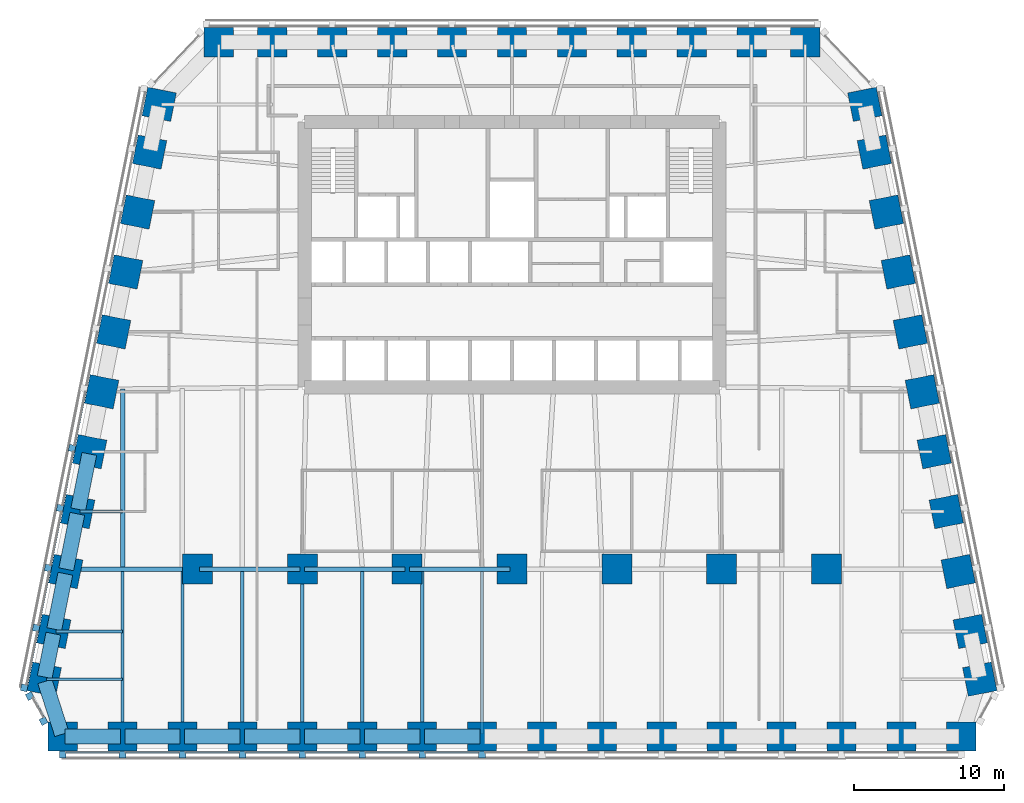
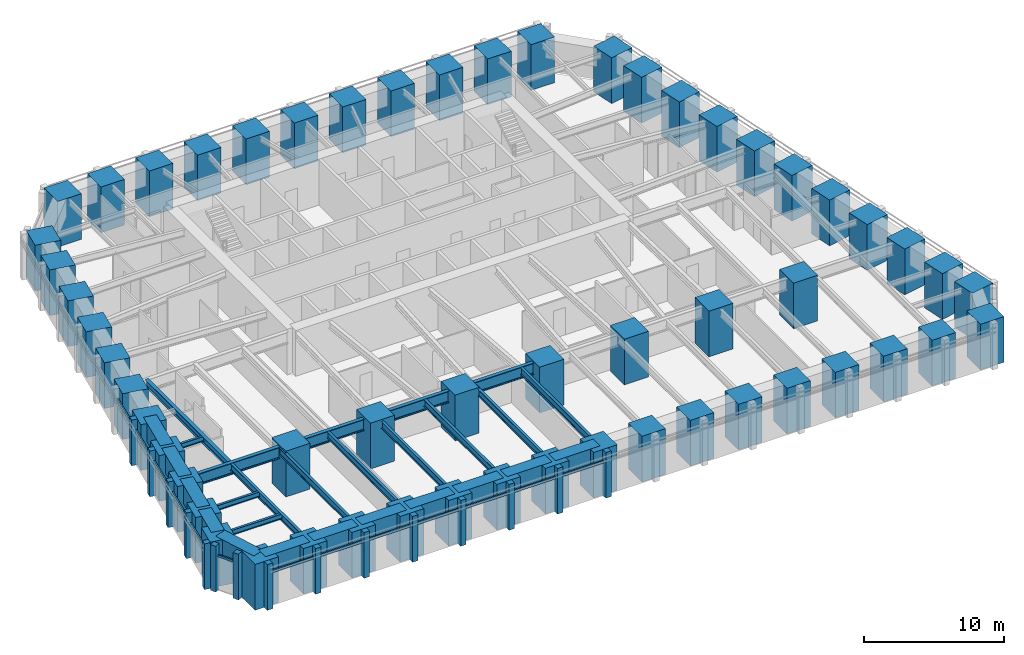
# One storey, part 1 of 10: 56 columns, 28 members, 27 beams, 3 elements without a shape of their own.
"""IFC4 building model written with IfcOpenShell, lengths in metres."""

from ifc_helpers import new_model, si_unit, direction, frame, origin, origin_2d, place, context, subcontext, project, spatial, rectangle, i_section, extrude, material, material_profile, profile_set, type_object, element, aggregate, save


model = new_model("IFC4")

# Units and contexts
model_context = context("Model", 3, precision=1e-05, world=origin(), true_north=direction((0.0, 1.0)))
body_context = subcontext(model_context, "Body", "Model", "MODEL_VIEW")
ifc_project = project(units=[si_unit("LENGTHUNIT", "METRE"), si_unit("AREAUNIT", "SQUARE_METRE"), si_unit("VOLUMEUNIT", "CUBIC_METRE"), si_unit("PLANEANGLEUNIT", "RADIAN"), si_unit("MASSUNIT", "GRAM", prefix="KILO")], contexts=[model_context])

# Site, building, storey
site_placement = place(None, origin())
site = spatial("IfcSite", under=ifc_project, at=site_placement, CompositionType="ELEMENT")
building_placement = place(site_placement, origin())
building = spatial("IfcBuilding", under=site, at=building_placement, Name="Isbrekke Arena Tower", CompositionType="ELEMENT")
storey_placement = place(building_placement, frame((0.0, 0.0, 60.0)))
storey = spatial("IfcBuildingStorey", under=building, at=storey_placement, Name="L12", CompositionType="ELEMENT", Elevation=60.0)

# Columns
ifc_material_1 = material(Name="Concrete B90 (C90/105)", Category="concrete")
ifc_material_profile_1 = material_profile(ifc_material_1, rectangle(XDim=2.0, YDim=2.0, at=origin_2d()), Name="RC 2000x2000")
ifc_profile_set_1 = profile_set([ifc_material_profile_1], Name="Concrete B90 (C90/105)")
column_type_1 = type_object("IfcColumnType", Name="C11 RC 2000 x 2000", PredefinedType="COLUMN", material=ifc_profile_set_1)
for number, where, z_axis, x_axis, name in (
    (1, (-21.0, -6.0, 0.0), (0.0, 0.0, 1.0), (1.0, 0.0, 0.0), "C11 I01"),
    (2, (-14.0, -6.0, 0.0), (0.0, 0.0, 1.0), (1.0, 0.0, 0.0), "C11 I02"),
    (3, (-7.0, -6.0, 0.0), (0.0, 0.0, 1.0), (1.0, 0.0, 0.0), "C11 I03"),
    (4, (0.0, -6.0, 0.0), (0.0, 0.0, 1.0), (1.0, 0.0, 0.0), "C11 I04"),
    (5, (7.0, -6.0, 0.0), (0.0, 0.0, 1.0), (1.0, 0.0, 0.0), "C11 I05"),
    (6, (14.0, -6.0, 0.0), (0.0, 0.0, 1.0), (1.0, 0.0, 0.0), "C11 I06"),
    (7, (21.0, -6.0, 0.0), (0.0, 0.0, 1.0), (1.0, 0.0, 0.0), "C11 I07"),
):
    element("IfcColumn", number, at=place(storey_placement, frame(where, z_axis=z_axis, x_axis=x_axis)), inside=storey, type_object=column_type_1, Name=name, PredefinedType="COLUMN", context=body_context, shape_type="SweptSolid", body=[
        extrude(rectangle(XDim=2.0, YDim=2.0, at=origin_2d()), origin(), (0.0, 0.0, 1.0), 4.0),
    ])
ifc_material_2 = material(Name="Concrete B90 (C90/105)", Category="concrete")
ifc_material_profile_2 = material_profile(ifc_material_2, rectangle(XDim=1.949951171875, YDim=1.949951171875, at=origin_2d()), Name="RC 1950x1950")
ifc_profile_set_2 = profile_set([ifc_material_profile_2], Name="Concrete B90 (C90/105)")
column_type_2 = type_object("IfcColumnType", Name="C2 RC 1950 x 1950", PredefinedType="COLUMN", material=ifc_profile_set_2)
for number, where, z_axis, x_axis, name in (
    (8, (-30.0, -17.175048828125, 0.0), (0.0, 0.0, 1.0), (1.0, 0.0, 0.0), "C2 S01"),
    (9, (-26.0, -17.175048828125, 0.0), (0.0, 0.0, 1.0), (1.0, 0.0, 0.0), "C2 S02"),
    (10, (-22.0, -17.175048828125, 0.0), (0.0, 0.0, 1.0), (1.0, 0.0, 0.0), "C2 S03"),
    (11, (-18.0, -17.175048828125, 0.0), (0.0, 0.0, 1.0), (1.0, 0.0, 0.0), "C2 S04"),
    (12, (-14.0, -17.175048828125, 0.0), (0.0, 0.0, 1.0), (1.0, 0.0, 0.0), "C2 S05"),
    (13, (-10.0, -17.175048828125, 0.0), (0.0, 0.0, 1.0), (1.0, 0.0, 0.0), "C2 S06"),
    (14, (-6.0, -17.175048828125, 0.0), (0.0, 0.0, 1.0), (1.0, 0.0, 0.0), "C2 S07"),
    (15, (-2.0, -17.175048828125, 0.0), (0.0, 0.0, 1.0), (1.0, 0.0, 0.0), "C2 S08"),
    (16, (2.0, -17.175048828125, 0.0), (0.0, 0.0, 1.0), (1.0, 0.0, 0.0), "C2 S09"),
    (17, (6.0, -17.175048828125, 0.0), (0.0, 0.0, 1.0), (1.0, 0.0, 0.0), "C2 S10"),
    (18, (10.0, -17.175048828125, 0.0), (0.0, 0.0, 1.0), (1.0, 0.0, 0.0), "C2 S11"),
    (19, (14.0, -17.175048828125, 0.0), (0.0, 0.0, 1.0), (1.0, 0.0, 0.0), "C2 S12"),
    (20, (18.0, -17.175048828125, 0.0), (0.0, 0.0, 1.0), (1.0, 0.0, 0.0), "C2 S13"),
    (21, (22.0, -17.175048828125, 0.0), (0.0, 0.0, 1.0), (1.0, 0.0, 0.0), "C2 S14"),
    (22, (26.0, -17.175048828125, 0.0), (0.0, 0.0, 1.0), (1.0, 0.0, 0.0), "C2 S15"),
    (23, (30.0, -17.175048828125, 0.0), (0.0, 0.0, 1.0), (1.0, 0.0, 0.0), "C2 S16"),
    (24, (31.229248046875, -13.352783203125, 0.0), (0.0, 0.0, 1.0), (-0.196116135138, 0.980580675691, 0.0), "C2 E01"),
    (25, (30.591064453125, -10.161865234375, 0.0), (0.0, 0.0, 1.0), (-0.196116135138, 0.980580675691, 0.0), "C2 E02"),
    (26, (29.791015625, -6.161865234375, 0.0), (0.0, 0.0, 1.0), (-0.196116135138, 0.980580675691, 0.0), "C2 E03"),
    (27, (28.990966796875, -2.161865234375, 0.0), (0.0, 0.0, 1.0), (-0.196116135138, 0.980580675691, 0.0), "C2 E04"),
    (28, (28.19091796875, 1.838134765625, 0.0), (0.0, 0.0, 1.0), (-0.196116135138, 0.980580675691, 0.0), "C2 E05"),
    (29, (27.39111328125, 5.838134765625, 0.0), (0.0, 0.0, 1.0), (-0.196116135138, 0.980580675691, 0.0), "C2 E06"),
    (30, (26.591064453125, 9.838134765625, 0.0), (0.0, 0.0, 1.0), (-0.196116135138, 0.980580675691, 0.0), "C2 E07"),
    (31, (25.791015625, 13.838134765625, 0.0), (0.0, 0.0, 1.0), (-0.196116135138, 0.980580675691, 0.0), "C2 E08"),
    (32, (24.990966796875, 17.838134765625, 0.0), (0.0, 0.0, 1.0), (-0.196116135138, 0.980580675691, 0.0), "C2 E09"),
    (33, (24.19091796875, 21.838134765625, 0.0), (0.0, 0.0, 1.0), (-0.196116135138, 0.980580675691, 0.0), "C2 E10"),
    (34, (23.552734375, 25.029296875, 0.0), (0.0, 0.0, 1.0), (-0.196116135138, 0.980580675691, 0.0), "C2 E11"),
    (35, (19.574951171875, 29.175048828125, 0.0), (0.0, 0.0, 1.0), (-1.0, 0.0, 0.0), "C2 N01"),
    (36, (16.0, 29.175048828125, 0.0), (0.0, 0.0, 1.0), (-1.0, 0.0, 0.0), "C2 N02"),
    (37, (12.0, 29.175048828125, 0.0), (0.0, 0.0, 1.0), (-1.0, 0.0, 0.0), "C2 N03"),
    (38, (8.0, 29.175048828125, 0.0), (0.0, 0.0, 1.0), (-1.0, 0.0, 0.0), "C2 N04"),
    (39, (4.0, 29.175048828125, 0.0), (0.0, 0.0, 1.0), (-1.0, 0.0, 0.0), "C2 N05"),
    (40, (0.0, 29.175048828125, 0.0), (0.0, 0.0, 1.0), (-1.0, 0.0, 0.0), "C2 N06"),
    (41, (-4.0, 29.175048828125, 0.0), (0.0, 0.0, 1.0), (-1.0, 0.0, 0.0), "C2 N07"),
    (42, (-8.0, 29.175048828125, 0.0), (0.0, 0.0, 1.0), (-1.0, 0.0, 0.0), "C2 N08"),
    (43, (-12.0, 29.175048828125, 0.0), (0.0, 0.0, 1.0), (-1.0, 0.0, 0.0), "C2 N09"),
    (44, (-16.0, 29.175048828125, 0.0), (0.0, 0.0, 1.0), (-1.0, 0.0, 0.0), "C2 N10"),
    (45, (-19.574951171875, 29.175048828125, 0.0), (0.0, 0.0, 1.0), (-1.0, 0.0, 0.0), "C2 N11"),
    (46, (-23.552734375, 25.029296875, 0.0), (0.0, 0.0, 1.0), (-0.196116135138, -0.980580675691, 0.0), "C2 W01"),
    (47, (-24.19091796875, 21.838134765625, 0.0), (0.0, 0.0, 1.0), (-0.196116135138, -0.980580675691, 0.0), "C2 W02"),
    (48, (-24.990966796875, 17.838134765625, 0.0), (0.0, 0.0, 1.0), (-0.196116135138, -0.980580675691, 0.0), "C2 W03"),
    (49, (-25.791015625, 13.838134765625, 0.0), (0.0, 0.0, 1.0), (-0.196116135138, -0.980580675691, 0.0), "C2 W04"),
    (50, (-26.591064453125, 9.838134765625, 0.0), (0.0, 0.0, 1.0), (-0.196116135138, -0.980580675691, 0.0), "C2 W05"),
    (51, (-27.39111328125, 5.838134765625, 0.0), (0.0, 0.0, 1.0), (-0.196116135138, -0.980580675691, 0.0), "C2 W06"),
    (52, (-28.19091796875, 1.838134765625, 0.0), (0.0, 0.0, 1.0), (-0.196116135138, -0.980580675691, 0.0), "C2 W07"),
    (53, (-28.990966796875, -2.161865234375, 0.0), (0.0, 0.0, 1.0), (-0.196116135138, -0.980580675691, 0.0), "C2 W08"),
    (54, (-29.791015625, -6.161865234375, 0.0), (0.0, 0.0, 1.0), (-0.196116135138, -0.980580675691, 0.0), "C2 W09"),
    (55, (-30.591064453125, -10.161865234375, 0.0), (0.0, 0.0, 1.0), (-0.196116135138, -0.980580675691, 0.0), "C2 W10"),
    (56, (-31.229248046875, -13.352783203125, 0.0), (0.0, 0.0, 1.0), (-0.196116135138, -0.980580675691, 0.0), "C2 W11"),
):
    element("IfcColumn", number, at=place(storey_placement, frame(where, z_axis=z_axis, x_axis=x_axis)), inside=storey, type_object=column_type_2, Name=name, PredefinedType="COLUMN", context=body_context, shape_type="SweptSolid", body=[
        extrude(rectangle(XDim=1.949951171875, YDim=1.949951171875, at=origin_2d()), origin(), (0.0, 0.0, 1.0), 4.0),
    ])

# Beams
ifc_material_3 = material(Name="Steel S355", Category="steel")
ifc_material_profile_3 = material_profile(ifc_material_3, i_section(OverallWidth=0.219970703125, OverallDepth=0.60009765625, WebThickness=0.011962890625, FlangeThickness=0.01904296875, FilletRadius=0.02392578125, at=origin_2d()), Name="IPE 600")
ifc_profile_set_3 = profile_set([ifc_material_profile_3], Name="Steel S355")
beam_type_1 = type_object("IfcBeamType", Name="B1 IPE 600", PredefinedType="BEAM", material=ifc_profile_set_3)
for number, where, z_axis, x_axis, name in (
    (57, (-26.0, -17.02490234375, 3.550048828125), (0.0, 1.0, 0.0), (-1.0, 0.0, 0.0), "B1 beam S-S02 L12"),
    (58, (-22.0, -17.02490234375, 3.550048828125), (0.0, 1.0, 0.0), (-1.0, 0.0, 0.0), "B1 beam S-S03 L12"),
    (59, (-18.0, -17.02490234375, 3.550048828125), (0.0, 1.0, 0.0), (-1.0, 0.0, 0.0), "B1 beam S-S04 L12"),
):
    element("IfcBeam", number, at=place(storey_placement, frame(where, z_axis=z_axis, x_axis=x_axis)), inside=storey, type_object=beam_type_1, Name=name, PredefinedType="BEAM", context=body_context, shape_type="SweptSolid", body=[
        extrude(i_section(OverallWidth=0.219970703125, OverallDepth=0.60009765625, WebThickness=0.011962890625, FlangeThickness=0.01904296875, FilletRadius=0.02392578125, at=origin_2d()), origin(), (0.0, 0.0, 1.0), 10.8740234375),
    ])
beam_1_placement = place(storey_placement, frame((-14.0, -17.02490234375, 3.550048828125), z_axis=(0.0, 1.0, 0.0), x_axis=(-1.0, 0.0, 0.0)))
element("IfcBeam", 60, at=beam_1_placement, inside=storey, type_object=beam_type_1, Name="B1 beam S-S05 L12", PredefinedType="BEAM", context=body_context, shape_type="SweptSolid", body=[
    extrude(i_section(OverallWidth=0.219970703125, OverallDepth=0.60009765625, WebThickness=0.011962890625, FlangeThickness=0.01904296875, FilletRadius=0.02392578125, at=origin_2d()), origin(), (0.0, 0.0, 1.0), 10.875),
])
for number, where, z_axis, x_axis, name in (
    (61, (-10.0, -17.02490234375, 3.550048828125), (0.0, 1.0, 0.0), (-1.0, 0.0, 0.0), "B1 beam S-S06 L12"),
    (62, (-6.0, -17.02490234375, 3.550048828125), (0.0, 1.0, 0.0), (-1.0, 0.0, 0.0), "B1 beam S-S07 L12"),
    (63, (-2.0, -17.02490234375, 3.550048828125), (0.0, 1.0, 0.0), (-1.0, 0.0, 0.0), "B1 beam S-S08 L12"),
):
    element("IfcBeam", number, at=place(storey_placement, frame(where, z_axis=z_axis, x_axis=x_axis)), inside=storey, type_object=beam_type_1, Name=name, PredefinedType="BEAM", context=body_context, shape_type="SweptSolid", body=[
        extrude(i_section(OverallWidth=0.219970703125, OverallDepth=0.60009765625, WebThickness=0.011962890625, FlangeThickness=0.01904296875, FilletRadius=0.02392578125, at=origin_2d()), origin(), (0.0, 0.0, 1.0), 10.8740234375),
    ])
ifc_material_4 = material(Name="Steel S355", Category="steel")
ifc_material_profile_4 = material_profile(ifc_material_4, i_section(OverallWidth=0.18994140625, OverallDepth=0.449951171875, WebThickness=0.009521484375, FlangeThickness=0.0146484375, FilletRadius=0.02099609375, at=origin_2d()), Name="IPE 450")
ifc_profile_set_4 = profile_set([ifc_material_profile_4], Name="Steel S355")
beam_type_2 = type_object("IfcBeamType", Name="B2 IPE 450", PredefinedType="BEAM", material=ifc_profile_set_4)
beam_2_placement = place(storey_placement, frame((-28.841064453125, -2.161865234375, 3.625), z_axis=(1.0, 0.0, 0.0), x_axis=(0.0, 1.0, 0.0)))
element("IfcBeam", 64, at=beam_2_placement, inside=storey, type_object=beam_type_2, Name="B2 beam E-W08 L12", PredefinedType="BEAM", context=body_context, shape_type="SweptSolid", body=[
    extrude(i_section(OverallWidth=0.18994140625, OverallDepth=0.449951171875, WebThickness=0.009521484375, FlangeThickness=0.0146484375, FilletRadius=0.02099609375, at=origin_2d()), origin(), (0.0, 0.0, 1.0), 2.841064453125),
])
beam_3_placement = place(storey_placement, frame((-30.44091796875, -10.161865234375, 3.625), z_axis=(1.0, 0.0, 0.0), x_axis=(0.0, 1.0, 0.0)))
element("IfcBeam", 65, at=beam_3_placement, inside=storey, type_object=beam_type_2, Name="B2 beam E-W10 L12", PredefinedType="BEAM", context=body_context, shape_type="SweptSolid", body=[
    extrude(i_section(OverallWidth=0.18994140625, OverallDepth=0.449951171875, WebThickness=0.009521484375, FlangeThickness=0.0146484375, FilletRadius=0.02099609375, at=origin_2d()), origin(), (0.0, 0.0, 1.0), 4.44091796875),
])
beam_4_placement = place(storey_placement, frame((-31.079345703125, -13.352783203125, 3.625), z_axis=(1.0, 0.0, 0.0), x_axis=(0.0, 1.0, 0.0)))
element("IfcBeam", 66, at=beam_4_placement, inside=storey, type_object=beam_type_2, Name="B2 beam E-W11 L12", PredefinedType="BEAM", context=body_context, shape_type="SweptSolid", body=[
    extrude(i_section(OverallWidth=0.18994140625, OverallDepth=0.449951171875, WebThickness=0.009521484375, FlangeThickness=0.0146484375, FilletRadius=0.02099609375, at=origin_2d()), origin(), (0.0, 0.0, 1.0), 5.079345703125),
])
ifc_material_5 = material(Name="Steel S355", Category="steel")
ifc_material_profile_5 = material_profile(ifc_material_5, i_section(OverallWidth=0.300048828125, OverallDepth=0.60009765625, WebThickness=0.015380859375, FlangeThickness=0.030029296875, FilletRadius=0.027099609375, at=origin_2d()), Name="HEB 600")
ifc_profile_set_5 = profile_set([ifc_material_profile_5], Name="Steel S355")
beam_type_3 = type_object("IfcBeamType", Name="B7 HEB 600", PredefinedType="BEAM", material=ifc_profile_set_5)
beam_5_placement = place(storey_placement, frame((-26.0, -5.84912109375, 3.550048828125), z_axis=(0.0, 1.0, 0.0), x_axis=(-1.0, 0.0, 0.0)))
element("IfcBeam", 67, at=beam_5_placement, inside=storey, type_object=beam_type_3, Name="B7 beam C-M01 L12", PredefinedType="BEAM", context=body_context, shape_type="SweptSolid", body=[
    extrude(i_section(OverallWidth=0.300048828125, OverallDepth=0.60009765625, WebThickness=0.015380859375, FlangeThickness=0.030029296875, FilletRadius=0.027099609375, at=origin_2d()), origin(), (0.0, 0.0, 1.0), 11.864990234375),
])

# Curtain wall, members
ifc_material_6 = material(Name="Glazed aluminium curtain wall", Category="aluminium")
curtain_wall_type = type_object("IfcCurtainWallType", Name="CWL TOWER CURTAIN WALL LOW ZONE", PredefinedType="USERDEFINED", material=ifc_material_6)
curtain_wall_1_placement = place(storey_placement, origin())
curtain_wall_1 = element("IfcCurtainWall", 68, at=curtain_wall_1_placement, inside=storey, type_object=curtain_wall_type, Name="CWL curtain wall L12-S", ObjectType="TOWER CURTAIN WALL LOW ZONE", PredefinedType="USERDEFINED")
ifc_material_7 = material(Name="Aluminium mullion, pale brick slip cladding", Category="masonry")
ifc_material_profile_6 = material_profile(ifc_material_7, rectangle(XDim=0.449951171875, YDim=0.449951171875, at=origin_2d()), Name="PIER 450X450")
ifc_profile_set_6 = profile_set([ifc_material_profile_6], Name="Aluminium mullion, pale brick slip cladding")
member_type_1 = type_object("IfcMemberType", Name="CWL-M PIER MULLION 450 x 450", PredefinedType="MULLION", material=ifc_profile_set_6)
member_1_placement = place(storey_placement, frame((-30.0, -18.375, 0.0), z_axis=(0.0, 0.0, 1.0), x_axis=(1.0, 0.0, 0.0)))
member_1 = element("IfcMember", 69, at=member_1_placement, type_object=member_type_1, Name="CWL-M mullion 1", PredefinedType="MULLION", context=body_context, shape_type="SweptSolid", body=[
    extrude(rectangle(XDim=0.449951171875, YDim=0.449951171875, at=origin_2d()), origin(), (0.0, 0.0, 1.0), 4.0),
])
member_2_placement = place(storey_placement, frame((-26.0, -18.375, 0.0), z_axis=(0.0, 0.0, 1.0), x_axis=(1.0, 0.0, 0.0)))
member_2 = element("IfcMember", 70, at=member_2_placement, type_object=member_type_1, Name="CWL-M mullion 2", PredefinedType="MULLION", context=body_context, shape_type="SweptSolid", body=[
    extrude(rectangle(XDim=0.449951171875, YDim=0.449951171875, at=origin_2d()), origin(), (0.0, 0.0, 1.0), 4.0),
])
member_3_placement = place(storey_placement, frame((-22.0, -18.375, 0.0), z_axis=(0.0, 0.0, 1.0), x_axis=(1.0, 0.0, 0.0)))
member_3 = element("IfcMember", 71, at=member_3_placement, type_object=member_type_1, Name="CWL-M mullion 3", PredefinedType="MULLION", context=body_context, shape_type="SweptSolid", body=[
    extrude(rectangle(XDim=0.449951171875, YDim=0.449951171875, at=origin_2d()), origin(), (0.0, 0.0, 1.0), 4.0),
])
member_4_placement = place(storey_placement, frame((-18.0, -18.375, 0.0), z_axis=(0.0, 0.0, 1.0), x_axis=(1.0, 0.0, 0.0)))
member_4 = element("IfcMember", 72, at=member_4_placement, type_object=member_type_1, Name="CWL-M mullion 4", PredefinedType="MULLION", context=body_context, shape_type="SweptSolid", body=[
    extrude(rectangle(XDim=0.449951171875, YDim=0.449951171875, at=origin_2d()), origin(), (0.0, 0.0, 1.0), 4.0),
])
member_5_placement = place(storey_placement, frame((-14.0, -18.375, 0.0), z_axis=(0.0, 0.0, 1.0), x_axis=(1.0, 0.0, 0.0)))
member_5 = element("IfcMember", 73, at=member_5_placement, type_object=member_type_1, Name="CWL-M mullion 5", PredefinedType="MULLION", context=body_context, shape_type="SweptSolid", body=[
    extrude(rectangle(XDim=0.449951171875, YDim=0.449951171875, at=origin_2d()), origin(), (0.0, 0.0, 1.0), 4.0),
])
member_6_placement = place(storey_placement, frame((-10.0, -18.375, 0.0), z_axis=(0.0, 0.0, 1.0), x_axis=(1.0, 0.0, 0.0)))
member_6 = element("IfcMember", 74, at=member_6_placement, type_object=member_type_1, Name="CWL-M mullion 6", PredefinedType="MULLION", context=body_context, shape_type="SweptSolid", body=[
    extrude(rectangle(XDim=0.449951171875, YDim=0.449951171875, at=origin_2d()), origin(), (0.0, 0.0, 1.0), 4.0),
])
member_7_placement = place(storey_placement, frame((-6.0, -18.375, 0.0), z_axis=(0.0, 0.0, 1.0), x_axis=(1.0, 0.0, 0.0)))
member_7 = element("IfcMember", 75, at=member_7_placement, type_object=member_type_1, Name="CWL-M mullion 7", PredefinedType="MULLION", context=body_context, shape_type="SweptSolid", body=[
    extrude(rectangle(XDim=0.449951171875, YDim=0.449951171875, at=origin_2d()), origin(), (0.0, 0.0, 1.0), 4.0),
])
member_8_placement = place(storey_placement, frame((-2.0, -18.375, 0.0), z_axis=(0.0, 0.0, 1.0), x_axis=(1.0, 0.0, 0.0)))
member_8 = element("IfcMember", 76, at=member_8_placement, type_object=member_type_1, Name="CWL-M mullion 8", PredefinedType="MULLION", context=body_context, shape_type="SweptSolid", body=[
    extrude(rectangle(XDim=0.449951171875, YDim=0.449951171875, at=origin_2d()), origin(), (0.0, 0.0, 1.0), 4.0),
])

curtain_wall_2_placement = place(storey_placement, origin())
curtain_wall_2 = element("IfcCurtainWall", 77, at=curtain_wall_2_placement, inside=storey, type_object=curtain_wall_type, Name="CWL curtain wall L12-W", ObjectType="TOWER CURTAIN WALL LOW ZONE", PredefinedType="USERDEFINED")
member_9_placement = place(storey_placement, frame((-29.36767578125, 2.073486328125, 0.0), z_axis=(0.0, 0.0, 1.0), x_axis=(-0.196116135138, -0.980580675691, 0.0)))
member_9 = element("IfcMember", 78, at=member_9_placement, type_object=member_type_1, Name="CWL-M mullion 7", PredefinedType="MULLION", context=body_context, shape_type="SweptSolid", body=[
    extrude(rectangle(XDim=0.449951171875, YDim=0.449951171875, at=origin_2d()), origin(), (0.0, 0.0, 1.0), 4.0),
])
member_10_placement = place(storey_placement, frame((-30.167724609375, -1.926513671875, 0.0), z_axis=(0.0, 0.0, 1.0), x_axis=(-0.196116135138, -0.980580675691, 0.0)))
member_10 = element("IfcMember", 79, at=member_10_placement, type_object=member_type_1, Name="CWL-M mullion 8", PredefinedType="MULLION", context=body_context, shape_type="SweptSolid", body=[
    extrude(rectangle(XDim=0.449951171875, YDim=0.449951171875, at=origin_2d()), origin(), (0.0, 0.0, 1.0), 4.0),
])
member_11_placement = place(storey_placement, frame((-30.9677734375, -5.926513671875, 0.0), z_axis=(0.0, 0.0, 1.0), x_axis=(-0.196116135138, -0.980580675691, 0.0)))
member_11 = element("IfcMember", 80, at=member_11_placement, type_object=member_type_1, Name="CWL-M mullion 9", PredefinedType="MULLION", context=body_context, shape_type="SweptSolid", body=[
    extrude(rectangle(XDim=0.449951171875, YDim=0.449951171875, at=origin_2d()), origin(), (0.0, 0.0, 1.0), 4.0),
])
member_12_placement = place(storey_placement, frame((-31.767822265625, -9.926513671875, 0.0), z_axis=(0.0, 0.0, 1.0), x_axis=(-0.196116135138, -0.980580675691, 0.0)))
member_12 = element("IfcMember", 81, at=member_12_placement, type_object=member_type_1, Name="CWL-M mullion 10", PredefinedType="MULLION", context=body_context, shape_type="SweptSolid", body=[
    extrude(rectangle(XDim=0.449951171875, YDim=0.449951171875, at=origin_2d()), origin(), (0.0, 0.0, 1.0), 4.0),
])
member_13_placement = place(storey_placement, frame((-32.567626953125, -13.926513671875, 0.0), z_axis=(0.0, 0.0, 1.0), x_axis=(-0.196116135138, -0.980580675691, 0.0)))
member_13 = element("IfcMember", 82, at=member_13_placement, type_object=member_type_1, Name="CWL-M mullion 11", PredefinedType="MULLION", context=body_context, shape_type="SweptSolid", body=[
    extrude(rectangle(XDim=0.449951171875, YDim=0.449951171875, at=origin_2d()), origin(), (0.0, 0.0, 1.0), 4.0),
])

curtain_wall_3_placement = place(storey_placement, origin())
curtain_wall_3 = element("IfcCurtainWall", 83, at=curtain_wall_3_placement, inside=storey, type_object=curtain_wall_type, Name="CWL curtain wall L12-WS", ObjectType="TOWER CURTAIN WALL LOW ZONE", PredefinedType="USERDEFINED")
member_14_placement = place(storey_placement, frame((-32.19580078125, -14.474609375, 0.0), z_axis=(0.0, 0.0, 1.0), x_axis=(0.481918749773, -0.876215908676, 0.0)))
member_14 = element("IfcMember", 84, at=member_14_placement, type_object=member_type_1, Name="CWL-M mullion 1", PredefinedType="MULLION", context=body_context, shape_type="SweptSolid", body=[
    extrude(rectangle(XDim=0.449951171875, YDim=0.449951171875, at=origin_2d()), origin(), (0.0, 0.0, 1.0), 4.0),
])
member_15_placement = place(storey_placement, frame((-31.277587890625, -16.14404296875, 0.0), z_axis=(0.0, 0.0, 1.0), x_axis=(0.481918749773, -0.876215908676, 0.0)))
member_15 = element("IfcMember", 85, at=member_15_placement, type_object=member_type_1, Name="CWL-M mullion 2", PredefinedType="MULLION", context=body_context, shape_type="SweptSolid", body=[
    extrude(rectangle(XDim=0.449951171875, YDim=0.449951171875, at=origin_2d()), origin(), (0.0, 0.0, 1.0), 4.0),
])

# Member
ifc_material_8 = material(Name="Aluminium transom", Category="aluminium")
ifc_material_profile_7 = material_profile(ifc_material_8, rectangle(XDim=0.1201171875, YDim=0.199951171875, at=origin_2d()), Name="TRANSOM 120X200")
ifc_profile_set_7 = profile_set([ifc_material_profile_7], Name="Aluminium transom")
member_type_2 = type_object("IfcMemberType", Name="CWL-T TRANSOM 120 x 200", PredefinedType="USERDEFINED", material=ifc_profile_set_7)
member_16_placement = place(storey_placement, frame((-29.77490234375, -18.25, 3.0), z_axis=(1.0, 0.0, 0.0), x_axis=(0.0, 1.0, 0.0)))
member_16 = element("IfcMember", 86, at=member_16_placement, type_object=member_type_2, Name="CWL-T transom 1", ObjectType="TRANSOM", PredefinedType="USERDEFINED", context=body_context, shape_type="SweptSolid", body=[
    extrude(rectangle(XDim=0.1201171875, YDim=0.199951171875, at=origin_2d()), origin(), (0.0, 0.0, 1.0), 3.5498046875),
])

member_17_placement = place(storey_placement, frame((-25.77490234375, -18.25, 3.0), z_axis=(1.0, 0.0, 0.0), x_axis=(0.0, 1.0, 0.0)))
member_17 = element("IfcMember", 87, at=member_17_placement, type_object=member_type_2, Name="CWL-T transom 2", ObjectType="TRANSOM", PredefinedType="USERDEFINED", context=body_context, shape_type="SweptSolid", body=[
    extrude(rectangle(XDim=0.1201171875, YDim=0.199951171875, at=origin_2d()), origin(), (0.0, 0.0, 1.0), 3.5498046875),
])

member_18_placement = place(storey_placement, frame((-21.77490234375, -18.25, 3.0), z_axis=(1.0, 0.0, 0.0), x_axis=(0.0, 1.0, 0.0)))
member_18 = element("IfcMember", 88, at=member_18_placement, type_object=member_type_2, Name="CWL-T transom 3", ObjectType="TRANSOM", PredefinedType="USERDEFINED", context=body_context, shape_type="SweptSolid", body=[
    extrude(rectangle(XDim=0.1201171875, YDim=0.199951171875, at=origin_2d()), origin(), (0.0, 0.0, 1.0), 3.5498046875),
])

member_19_placement = place(storey_placement, frame((-17.77490234375, -18.25, 3.0), z_axis=(1.0, 0.0, 0.0), x_axis=(0.0, 1.0, 0.0)))
member_19 = element("IfcMember", 89, at=member_19_placement, type_object=member_type_2, Name="CWL-T transom 4", ObjectType="TRANSOM", PredefinedType="USERDEFINED", context=body_context, shape_type="SweptSolid", body=[
    extrude(rectangle(XDim=0.1201171875, YDim=0.199951171875, at=origin_2d()), origin(), (0.0, 0.0, 1.0), 3.5498046875),
])

member_20_placement = place(storey_placement, frame((-13.77490234375, -18.25, 3.0), z_axis=(1.0, 0.0, 0.0), x_axis=(0.0, 1.0, 0.0)))
member_20 = element("IfcMember", 90, at=member_20_placement, type_object=member_type_2, Name="CWL-T transom 5", ObjectType="TRANSOM", PredefinedType="USERDEFINED", context=body_context, shape_type="SweptSolid", body=[
    extrude(rectangle(XDim=0.1201171875, YDim=0.199951171875, at=origin_2d()), origin(), (0.0, 0.0, 1.0), 3.5498046875),
])

member_21_placement = place(storey_placement, frame((-9.77490234375, -18.25, 3.0), z_axis=(1.0, 0.0, 0.0), x_axis=(0.0, 1.0, 0.0)))
member_21 = element("IfcMember", 91, at=member_21_placement, type_object=member_type_2, Name="CWL-T transom 6", ObjectType="TRANSOM", PredefinedType="USERDEFINED", context=body_context, shape_type="SweptSolid", body=[
    extrude(rectangle(XDim=0.1201171875, YDim=0.199951171875, at=origin_2d()), origin(), (0.0, 0.0, 1.0), 3.5498046875),
])

member_22_placement = place(storey_placement, frame((-5.77490234375, -18.25, 3.0), z_axis=(1.0, 0.0, 0.0), x_axis=(0.0, 1.0, 0.0)))
member_22 = element("IfcMember", 92, at=member_22_placement, type_object=member_type_2, Name="CWL-T transom 7", ObjectType="TRANSOM", PredefinedType="USERDEFINED", context=body_context, shape_type="SweptSolid", body=[
    extrude(rectangle(XDim=0.1201171875, YDim=0.199951171875, at=origin_2d()), origin(), (0.0, 0.0, 1.0), 3.5498046875),
])

aggregate(curtain_wall_1, [member_1, member_2, member_3, member_4, member_5, member_6, member_7, member_8, member_16, member_17, member_18, member_19, member_20, member_21, member_22])

member_23_placement = place(storey_placement, frame((-28.4892578125, 5.828369140625, 3.0), z_axis=(-0.196103197847, -0.98058326306, 0.0), x_axis=(0.98058326306, -0.196103197847, 0.0)))
member_23 = element("IfcMember", 93, at=member_23_placement, type_object=member_type_2, Name="CWL-T transom 6", ObjectType="TRANSOM", PredefinedType="USERDEFINED", context=body_context, shape_type="SweptSolid", body=[
    extrude(rectangle(XDim=0.1201171875, YDim=0.199951171875, at=origin_2d()), origin(), (0.0, 0.0, 1.0), 3.629150390625),
])

member_24_placement = place(storey_placement, frame((-29.289306640625, 1.828369140625, 3.0), z_axis=(-0.196103197847, -0.98058326306, 0.0), x_axis=(0.98058326306, -0.196103197847, 0.0)))
member_24 = element("IfcMember", 94, at=member_24_placement, type_object=member_type_2, Name="CWL-T transom 7", ObjectType="TRANSOM", PredefinedType="USERDEFINED", context=body_context, shape_type="SweptSolid", body=[
    extrude(rectangle(XDim=0.1201171875, YDim=0.199951171875, at=origin_2d()), origin(), (0.0, 0.0, 1.0), 3.629150390625),
])

member_25_placement = place(storey_placement, frame((-30.08935546875, -2.171630859375, 3.0), z_axis=(-0.196103197847, -0.98058326306, 0.0), x_axis=(0.98058326306, -0.196103197847, 0.0)))
member_25 = element("IfcMember", 95, at=member_25_placement, type_object=member_type_2, Name="CWL-T transom 8", ObjectType="TRANSOM", PredefinedType="USERDEFINED", context=body_context, shape_type="SweptSolid", body=[
    extrude(rectangle(XDim=0.1201171875, YDim=0.199951171875, at=origin_2d()), origin(), (0.0, 0.0, 1.0), 3.629150390625),
])

member_26_placement = place(storey_placement, frame((-30.88916015625, -6.171630859375, 3.0), z_axis=(-0.196167883278, -0.980570324643, 0.0), x_axis=(0.980570324643, -0.196167883278, 0.0)))
member_26 = element("IfcMember", 96, at=member_26_placement, type_object=member_type_2, Name="CWL-T transom 9", ObjectType="TRANSOM", PredefinedType="USERDEFINED", context=body_context, shape_type="SweptSolid", body=[
    extrude(rectangle(XDim=0.1201171875, YDim=0.199951171875, at=origin_2d()), origin(), (0.0, 0.0, 1.0), 3.629150390625),
])

member_27_placement = place(storey_placement, frame((-31.689208984375, -10.171630859375, 3.0), z_axis=(-0.196167883278, -0.980570324643, 0.0), x_axis=(0.980570324643, -0.196167883278, 0.0)))
member_27 = element("IfcMember", 97, at=member_27_placement, type_object=member_type_2, Name="CWL-T transom 10", ObjectType="TRANSOM", PredefinedType="USERDEFINED", context=body_context, shape_type="SweptSolid", body=[
    extrude(rectangle(XDim=0.1201171875, YDim=0.199951171875, at=origin_2d()), origin(), (0.0, 0.0, 1.0), 3.629150390625),
])

aggregate(curtain_wall_2, [member_9, member_10, member_11, member_12, member_13, member_23, member_24, member_25, member_26, member_27])

member_28_placement = place(storey_placement, frame((-31.977783203125, -14.611572265625, 3.0), z_axis=(0.481905867223, -0.876222993955, 0.0), x_axis=(0.876222993955, 0.481905867223, 0.0)))
member_28 = element("IfcMember", 98, at=member_28_placement, type_object=member_type_2, Name="CWL-T transom 1", ObjectType="TRANSOM", PredefinedType="USERDEFINED", context=body_context, shape_type="SweptSolid", body=[
    extrude(rectangle(XDim=0.1201171875, YDim=0.199951171875, at=origin_2d()), origin(), (0.0, 0.0, 1.0), 1.455078125),
])

aggregate(curtain_wall_3, [member_14, member_15, member_28])

# Beams
ifc_material_9 = material(Name="Steel S355", Category="steel")
ifc_material_profile_8 = material_profile(ifc_material_9, i_section(OverallWidth=0.302001953125, OverallDepth=1.008056640625, WebThickness=0.02099609375, FlangeThickness=0.0400390625, FilletRadius=0.030029296875, at=origin_2d()), Name="HEM 1000")
ifc_profile_set_8 = profile_set([ifc_material_profile_8], Name="Steel S355")
beam_type_4 = type_object("IfcBeamType", Name="G1 HEM 1000", PredefinedType="BEAM", material=ifc_profile_set_8)
beam_6_placement = place(storey_placement, frame((-29.791015625, -6.0, 3.345947265625), z_axis=(1.0, 0.0, 0.0), x_axis=(0.0, 1.0, 0.0)))
element("IfcBeam", 99, at=beam_6_placement, inside=storey, type_object=beam_type_4, Name="G1 beam G1-01 L12", PredefinedType="BEAM", context=body_context, shape_type="SweptSolid", body=[
    extrude(i_section(OverallWidth=0.302001953125, OverallDepth=1.008056640625, WebThickness=0.02099609375, FlangeThickness=0.0400390625, FilletRadius=0.030029296875, at=origin_2d()), origin(), (0.0, 0.0, 1.0), 8.64111328125),
])
for number, where, z_axis, x_axis, name in (
    (100, (-20.85009765625, -6.0, 3.345947265625), (1.0, 0.0, 0.0), (0.0, 1.0, 0.0), "G1 beam G1-02 L12"),
    (101, (-13.85009765625, -6.0, 3.345947265625), (1.0, 0.0, 0.0), (0.0, 1.0, 0.0), "G1 beam G1-03 L12"),
    (102, (-6.85009765625, -6.0, 3.345947265625), (1.0, 0.0, 0.0), (0.0, 1.0, 0.0), "G1 beam G1-04 L12"),
):
    element("IfcBeam", number, at=place(storey_placement, frame(where, z_axis=z_axis, x_axis=x_axis)), inside=storey, type_object=beam_type_4, Name=name, PredefinedType="BEAM", context=body_context, shape_type="SweptSolid", body=[
        extrude(i_section(OverallWidth=0.302001953125, OverallDepth=1.008056640625, WebThickness=0.02099609375, FlangeThickness=0.0400390625, FilletRadius=0.030029296875, at=origin_2d()), origin(), (0.0, 0.0, 1.0), 6.7001953125),
    ])
ifc_material_10 = material(Name="Concrete B90 (C90/105)", Category="concrete")
ifc_material_profile_9 = material_profile(ifc_material_10, rectangle(XDim=1.0, YDim=1.60009765625, at=origin_2d()), Name="RC 1000x1600")
ifc_profile_set_9 = profile_set([ifc_material_profile_9], Name="Concrete B90 (C90/105)")
beam_type_5 = type_object("IfcBeamType", Name="SB1 RC 1000 x 1600", PredefinedType="SPANDREL", material=ifc_profile_set_9)
for number, where, z_axis, x_axis, name in (
    (103, (-29.85009765625, -17.175048828125, 3.199951171875), (1.0, 0.0, 0.0), (0.0, 1.0, 0.0), "SB1 spandrel S01-S02 L12"),
    (104, (-25.85009765625, -17.175048828125, 3.199951171875), (1.0, 0.0, 0.0), (0.0, 1.0, 0.0), "SB1 spandrel S02-S03 L12"),
    (105, (-21.85009765625, -17.175048828125, 3.199951171875), (1.0, 0.0, 0.0), (0.0, 1.0, 0.0), "SB1 spandrel S03-S04 L12"),
    (106, (-17.85009765625, -17.175048828125, 3.199951171875), (1.0, 0.0, 0.0), (0.0, 1.0, 0.0), "SB1 spandrel S04-S05 L12"),
    (107, (-13.85009765625, -17.175048828125, 3.199951171875), (1.0, 0.0, 0.0), (0.0, 1.0, 0.0), "SB1 spandrel S05-S06 L12"),
    (108, (-9.85009765625, -17.175048828125, 3.199951171875), (1.0, 0.0, 0.0), (0.0, 1.0, 0.0), "SB1 spandrel S06-S07 L12"),
    (109, (-5.85009765625, -17.175048828125, 3.199951171875), (1.0, 0.0, 0.0), (0.0, 1.0, 0.0), "SB1 spandrel S07-S08 L12"),
):
    element("IfcBeam", number, at=place(storey_placement, frame(where, z_axis=z_axis, x_axis=x_axis)), inside=storey, type_object=beam_type_5, Name=name, PredefinedType="SPANDREL", context=body_context, shape_type="SweptSolid", body=[
        extrude(rectangle(XDim=1.0, YDim=1.60009765625, at=origin_2d()), origin(), (0.0, 0.0, 1.0), 3.7001953125),
    ])
for number, where, z_axis, x_axis, name in (
    (110, (-28.220458984375, 1.691162109375, 3.199951171875), (-0.196128558387, -0.980578190959, 0.0), (0.980578190959, -0.196128558387, 0.0), "SB1 spandrel W07-W08 L12"),
    (111, (-29.0205078125, -2.308837890625, 3.199951171875), (-0.196128558387, -0.980578190959, 0.0), (0.980578190959, -0.196128558387, 0.0), "SB1 spandrel W08-W09 L12"),
):
    element("IfcBeam", number, at=place(storey_placement, frame(where, z_axis=z_axis, x_axis=x_axis)), inside=storey, type_object=beam_type_5, Name=name, PredefinedType="SPANDREL", context=body_context, shape_type="SweptSolid", body=[
        extrude(rectangle(XDim=1.0, YDim=1.60009765625, at=origin_2d()), origin(), (0.0, 0.0, 1.0), 3.779296875),
    ])
beam_7_placement = place(storey_placement, frame((-29.820556640625, -6.308837890625, 3.199951171875), z_axis=(-0.1960664412, -0.980590613169, 0.0), x_axis=(0.980590613169, -0.1960664412, 0.0)))
element("IfcBeam", 112, at=beam_7_placement, inside=storey, type_object=beam_type_5, Name="SB1 spandrel W09-W10 L12", PredefinedType="SPANDREL", context=body_context, shape_type="SweptSolid", body=[
    extrude(rectangle(XDim=1.0, YDim=1.60009765625, at=origin_2d()), origin(), (0.0, 0.0, 1.0), 3.779052734375),
])
beam_8_placement = place(storey_placement, frame((-30.620361328125, -10.308837890625, 3.199951171875), z_axis=(-0.196100243168, -0.980583853951, 0.0), x_axis=(0.980583853951, -0.196100243168, 0.0)))
element("IfcBeam", 113, at=beam_8_placement, inside=storey, type_object=beam_type_5, Name="SB1 spandrel W10-W11 L12", PredefinedType="SPANDREL", context=body_context, shape_type="SweptSolid", body=[
    extrude(rectangle(XDim=1.0, YDim=1.60009765625, at=origin_2d()), origin(), (0.0, 0.0, 1.0), 2.954345703125),
])
beam_9_placement = place(storey_placement, frame((-31.183349609375, -13.49560546875, 3.199951171875), z_axis=(0.306175101476, -0.951975213562, 0.0), x_axis=(0.951975213562, 0.306175101476, 0.0)))
element("IfcBeam", 114, at=beam_9_placement, inside=storey, type_object=beam_type_5, Name="SB1 spandrel W11-S01 L12", PredefinedType="SPANDREL", context=body_context, shape_type="SweptSolid", body=[
    extrude(rectangle(XDim=1.0, YDim=1.60009765625, at=origin_2d()), origin(), (0.0, 0.0, 1.0), 3.715087890625),
])

save(model, "model.ifc")
